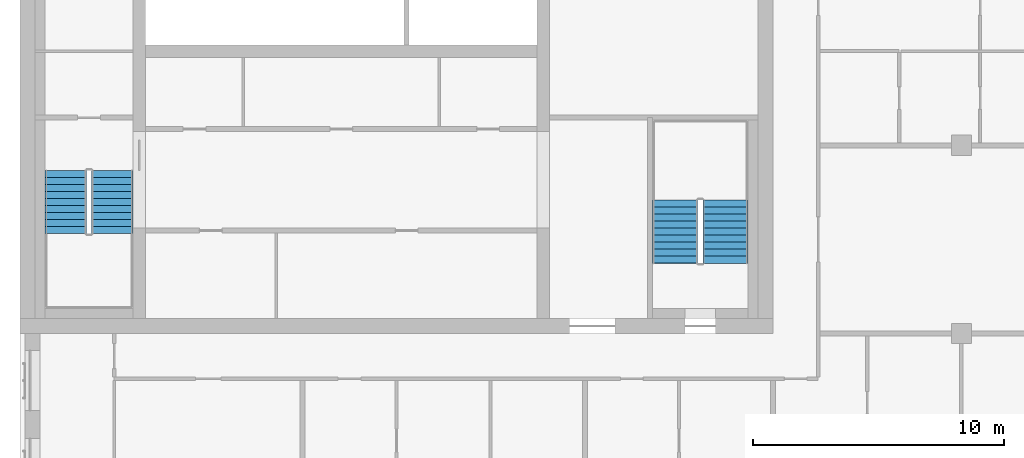
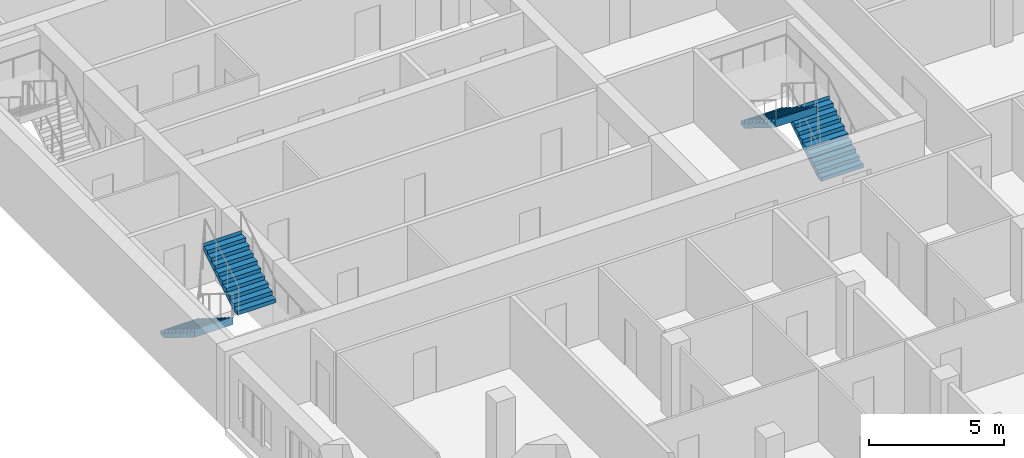
# One storey, part 9 of 11: 4 stair flights, 2 elements without a shape of their own.
"""IFC4 building model written with IfcOpenShell, lengths in metres."""

from ifc_helpers import new_model, si_unit, direction, frame, origin, place, context, subcontext, project, spatial, polyline, outline, extrude, material, type_object, element, aggregate, save


model = new_model("IFC4")

# Units and contexts
model_context = context("Model", 3, precision=1e-05, world=origin(), true_north=direction((0.0, 1.0)))
body_context = subcontext(model_context, "Body", "Model", "MODEL_VIEW")
ifc_project = project(units=[si_unit("LENGTHUNIT", "METRE"), si_unit("AREAUNIT", "SQUARE_METRE"), si_unit("VOLUMEUNIT", "CUBIC_METRE"), si_unit("PLANEANGLEUNIT", "RADIAN"), si_unit("MASSUNIT", "GRAM", prefix="KILO")], contexts=[model_context])

# Site, building, storey
site_placement = place(None, origin())
site = spatial("IfcSite", under=ifc_project, at=site_placement, CompositionType="ELEMENT")
building_placement = place(site_placement, origin())
building = spatial("IfcBuilding", under=site, at=building_placement, Name="Tamorin Gate", CompositionType="ELEMENT")
storey_placement = place(building_placement, frame((0.0, 0.0, 247.699951171875)))
storey = spatial("IfcBuildingStorey", under=building, at=storey_placement, Name="L62", CompositionType="ELEMENT", Elevation=247.699951171875)

# Stair, stair flights
ifc_material = material(Name="Concrete C40/50", Category="concrete")
stair_type = type_object("IfcStairType", Name="Exit stair", PredefinedType="HALF_TURN_STAIR", material=ifc_material)
stair_1_placement = place(storey_placement, origin())
stair_1 = element("IfcStair", 1, at=stair_1_placement, inside=storey, type_object=stair_type, Name="L62 stair ST1", PredefinedType="HALF_TURN_STAIR")
stair_flight_type = type_object("IfcStairFlightType", Name="Exit stair flight", PredefinedType="STRAIGHT", material=ifc_material)
stair_flight_1_placement = place(storey_placement, frame((31.824951171875, 66.5, 0.0), z_axis=(0.0, 0.0, 1.0), x_axis=(0.0, -1.0, 0.0)))
stair_flight_1 = element("IfcStairFlight", 2, at=stair_flight_1_placement, type_object=stair_flight_type, Name="ST1 flight 1", NumberOfRisers=10, NumberOfTreads=9, PredefinedType="STRAIGHT", RiserHeight=0.175, TreadLength=0.28, context=body_context, shape_type="SweptSolid", body=[
    extrude(outline(polyline([(-0.00048828125, 0.0), (-0.00048828125, 0.001708984375), (-0.00048828125, 0.00341796875), (-0.00048828125, 0.005126953125), (-0.00048828125, 0.0068359375), (-0.00048828125, 0.008544921875), (-0.00048828125, 0.010498046875), (-0.00048828125, 0.01220703125), (-0.00048828125, 0.013916015625), (-0.00048828125, 0.015625), (-0.00048828125, 0.017333984375), (-0.00048828125, 0.01904296875), (-0.00048828125, 0.020751953125), (-0.00048828125, 0.0224609375), (-0.00048828125, 0.024169921875), (-0.00048828125, 0.02587890625), (-0.00048828125, 0.02783203125), (-0.00048828125, 0.029541015625), (-0.00048828125, 0.03125), (-0.00048828125, 0.032958984375), (-0.00048828125, 0.03466796875), (-0.00048828125, 0.036376953125), (-0.00048828125, 0.0380859375), (-0.00048828125, 0.039794921875), (-0.00048828125, 0.04150390625), (-0.00048828125, 0.043212890625), (-0.00048828125, 0.045166015625), (-0.00048828125, 0.046875), (-0.00048828125, 0.048583984375), (-0.00048828125, 0.05029296875), (-0.00048828125, 0.052001953125), (-0.00048828125, 0.0537109375), (-0.00048828125, 0.055419921875), (-0.00048828125, 0.05712890625), (-0.00048828125, 0.058837890625), (-0.00048828125, 0.060546875), (-0.00048828125, 0.062255859375), (-0.00048828125, 0.064208984375), (-0.00048828125, 0.06591796875), (-0.00048828125, 0.067626953125), (-0.00048828125, 0.0693359375), (-0.00048828125, 0.071044921875), (-0.00048828125, 0.07275390625), (-0.00048828125, 0.074462890625), (-0.00048828125, 0.076171875), (-0.00048828125, 0.077880859375), (-0.00048828125, 0.07958984375), (-0.00048828125, 0.08154296875), (-0.00048828125, 0.083251953125), (-0.00048828125, 0.0849609375), (-0.00048828125, 0.086669921875), (-0.00048828125, 0.08837890625), (-0.00048828125, 0.090087890625), (-0.00048828125, 0.091796875), (-0.00048828125, 0.093505859375), (-0.00048828125, 0.09521484375), (-0.00048828125, 0.096923828125), (-0.00048828125, 0.098876953125), (-0.00048828125, 0.1005859375), (-0.00048828125, 0.102294921875), (-0.00048828125, 0.10400390625), (-0.00048828125, 0.105712890625), (-0.00048828125, 0.107421875), (-0.00048828125, 0.109130859375), (-0.00048828125, 0.11083984375), (-0.00048828125, 0.112548828125), (-0.00048828125, 0.1142578125), (-0.00048828125, 0.1162109375), (-0.00048828125, 0.117919921875), (-0.00048828125, 0.11962890625), (-0.00048828125, 0.121337890625), (-0.00048828125, 0.123046875), (-0.00048828125, 0.124755859375), (-0.00048828125, 0.12646484375), (-0.00048828125, 0.128173828125), (-0.00048828125, 0.1298828125), (-0.00048828125, 0.131591796875), (-0.00048828125, 0.13330078125), (-0.00048828125, 0.13525390625), (-0.00048828125, 0.136962890625), (-0.00048828125, 0.138671875), (-0.00048828125, 0.140380859375), (-0.00048828125, 0.14208984375), (-0.00048828125, 0.143798828125), (-0.00048828125, 0.1455078125), (-0.00048828125, 0.147216796875), (-0.00048828125, 0.14892578125), (-0.00048828125, 0.150634765625), (-0.00048828125, 0.152587890625), (-0.00048828125, 0.154296875), (-0.00048828125, 0.156005859375), (-0.00048828125, 0.15771484375), (-0.00048828125, 0.159423828125), (-0.00048828125, 0.1611328125), (-0.00048828125, 0.162841796875), (-0.00048828125, 0.16455078125), (-0.00048828125, 0.166259765625), (-0.00048828125, 0.16796875), (-0.00048828125, 0.169921875), (-0.00048828125, 0.171630859375), (-0.00048828125, 0.17333984375), (-0.00048828125, 0.175048828125), (0.280029296875, 0.175048828125), (0.280029296875, 0.35009765625), (0.56005859375, 0.35009765625), (0.56005859375, 0.52490234375), (0.840087890625, 0.52490234375), (0.840087890625, 0.699951171875), (1.1201171875, 0.699951171875), (1.1201171875, 0.875), (1.39990234375, 0.875), (1.39990234375, 1.050048828125), (1.679931640625, 1.050048828125), (1.679931640625, 1.22509765625), (1.9599609375, 1.22509765625), (1.9599609375, 1.39990234375), (2.239990234375, 1.39990234375), (2.239990234375, 1.574951171875), (2.52001953125, 1.574951171875), (2.52001953125, 1.75), (2.5205078125, 1.75), (2.5205078125, 1.74658203125), (2.5205078125, 1.742919921875), (2.5205078125, 1.739501953125), (2.5205078125, 1.736083984375), (2.5205078125, 1.732666015625), (2.5205078125, 1.72900390625), (2.5205078125, 1.7255859375), (2.5205078125, 1.72216796875), (2.5205078125, 1.71875), (2.5205078125, 1.715087890625), (2.5205078125, 1.711669921875), (2.5205078125, 1.708251953125), (2.5205078125, 1.704833984375), (2.5205078125, 1.701171875), (2.5205078125, 1.69775390625), (2.5205078125, 1.6943359375), (2.5205078125, 1.690673828125), (2.5205078125, 1.687255859375), (2.5205078125, 1.683837890625), (2.5205078125, 1.680419921875), (2.5205078125, 1.6767578125), (2.5205078125, 1.67333984375), (2.5205078125, 1.669921875), (2.5205078125, 1.66650390625), (2.5205078125, 1.662841796875), (2.5205078125, 1.659423828125), (2.5205078125, 1.656005859375), (2.5205078125, 1.652587890625), (2.5205078125, 1.64892578125), (2.5205078125, 1.6455078125), (2.5205078125, 1.64208984375), (2.5205078125, 1.638427734375), (2.5205078125, 1.635009765625), (2.5205078125, 1.631591796875), (2.5205078125, 1.628173828125), (2.5205078125, 1.62451171875), (2.5205078125, 1.62109375), (2.5205078125, 1.61767578125), (2.5205078125, 1.6142578125), (2.5205078125, 1.610595703125), (2.5205078125, 1.607177734375), (2.5205078125, 1.603759765625), (2.5205078125, 1.600341796875), (2.5205078125, 1.5966796875), (2.5205078125, 1.59326171875), (2.5205078125, 1.58984375), (2.5205078125, 1.58642578125), (2.5205078125, 1.582763671875), (2.5205078125, 1.579345703125), (2.5205078125, 1.575927734375), (2.5205078125, 1.572265625), (2.5205078125, 1.56884765625), (2.5205078125, 1.5654296875), (2.5205078125, 1.56201171875), (2.5205078125, 1.558349609375), (2.5205078125, 1.554931640625), (2.5205078125, 1.551513671875), (2.5205078125, 1.548095703125), (2.5205078125, 1.54443359375), (2.5205078125, 1.541015625), (2.5205078125, 1.53759765625), (2.5205078125, 1.5341796875), (2.5205078125, 1.530517578125), (2.5205078125, 1.527099609375), (2.5205078125, 1.523681640625), (2.5205078125, 1.52001953125), (2.5205078125, 1.5166015625), (2.5205078125, 1.51318359375), (2.5205078125, 1.509765625), (2.5205078125, 1.506103515625), (2.5205078125, 1.502685546875), (2.5205078125, 1.499267578125), (2.5205078125, 1.495849609375), (2.5205078125, 1.4921875), (2.5205078125, 1.48876953125), (2.5205078125, 1.4853515625), (2.5205078125, 1.48193359375), (2.5205078125, 1.478271484375), (2.5205078125, 1.474853515625), (2.5205078125, 1.471435546875), (2.5205078125, 1.4677734375), (2.5205078125, 1.46435546875), (2.5205078125, 1.4609375), (2.5205078125, 1.45751953125), (2.5205078125, 1.453857421875), (2.5205078125, 1.450439453125), (2.5205078125, 1.447021484375), (2.5205078125, 1.443603515625), (2.5205078125, 1.43994140625), (2.5205078125, 1.4365234375), (2.5205078125, 1.43310546875), (2.5205078125, 1.4296875), (2.5205078125, 1.426025390625), (2.5205078125, 1.422607421875), (2.5205078125, 1.419189453125), (2.5205078125, 1.41552734375), (2.5205078125, 1.412109375), (2.5205078125, 1.40869140625), (2.5205078125, 1.4052734375), (2.5205078125, 1.401611328125), (2.5205078125, 1.398193359375), (2.52001953125, 1.398193359375), (0.28271484375, 0.0), (-0.00048828125, 0.0)])), frame((0.0, 0.824951171875, 0.0), z_axis=(0.0, -1.0, 0.0), x_axis=(1.0, 0.0, 0.0)), (0.0, 0.0, 1.0), 1.64990234375),
])
stair_flight_2_placement = place(storey_placement, frame((33.675048828125, 63.97998046875, 1.75), z_axis=(0.0, 0.0, 1.0), x_axis=(0.0, 1.0, 0.0)))
stair_flight_2 = element("IfcStairFlight", 3, at=stair_flight_2_placement, type_object=stair_flight_type, Name="ST1 flight 2", NumberOfRisers=10, NumberOfTreads=9, PredefinedType="STRAIGHT", RiserHeight=0.175, TreadLength=0.28, context=body_context, shape_type="SweptSolid", body=[
    extrude(outline(polyline([(-0.00048828125, 0.0), (-0.00048828125, 0.001708984375), (-0.00048828125, 0.00341796875), (-0.00048828125, 0.005126953125), (-0.00048828125, 0.0068359375), (-0.00048828125, 0.008544921875), (-0.00048828125, 0.010498046875), (-0.00048828125, 0.01220703125), (-0.00048828125, 0.013916015625), (-0.00048828125, 0.015625), (-0.00048828125, 0.017333984375), (-0.00048828125, 0.01904296875), (-0.00048828125, 0.020751953125), (-0.00048828125, 0.0224609375), (-0.00048828125, 0.024169921875), (-0.00048828125, 0.02587890625), (-0.00048828125, 0.02783203125), (-0.00048828125, 0.029541015625), (-0.00048828125, 0.03125), (-0.00048828125, 0.032958984375), (-0.00048828125, 0.03466796875), (-0.00048828125, 0.036376953125), (-0.00048828125, 0.0380859375), (-0.00048828125, 0.039794921875), (-0.00048828125, 0.04150390625), (-0.00048828125, 0.043212890625), (-0.00048828125, 0.045166015625), (-0.00048828125, 0.046875), (-0.00048828125, 0.048583984375), (-0.00048828125, 0.05029296875), (-0.00048828125, 0.052001953125), (-0.00048828125, 0.0537109375), (-0.00048828125, 0.055419921875), (-0.00048828125, 0.05712890625), (-0.00048828125, 0.058837890625), (-0.00048828125, 0.060546875), (-0.00048828125, 0.062255859375), (-0.00048828125, 0.064208984375), (-0.00048828125, 0.06591796875), (-0.00048828125, 0.067626953125), (-0.00048828125, 0.0693359375), (-0.00048828125, 0.071044921875), (-0.00048828125, 0.07275390625), (-0.00048828125, 0.074462890625), (-0.00048828125, 0.076171875), (-0.00048828125, 0.077880859375), (-0.00048828125, 0.07958984375), (-0.00048828125, 0.08154296875), (-0.00048828125, 0.083251953125), (-0.00048828125, 0.0849609375), (-0.00048828125, 0.086669921875), (-0.00048828125, 0.08837890625), (-0.00048828125, 0.090087890625), (-0.00048828125, 0.091796875), (-0.00048828125, 0.093505859375), (-0.00048828125, 0.09521484375), (-0.00048828125, 0.096923828125), (-0.00048828125, 0.098876953125), (-0.00048828125, 0.1005859375), (-0.00048828125, 0.102294921875), (-0.00048828125, 0.10400390625), (-0.00048828125, 0.105712890625), (-0.00048828125, 0.107421875), (-0.00048828125, 0.109130859375), (-0.00048828125, 0.11083984375), (-0.00048828125, 0.112548828125), (-0.00048828125, 0.1142578125), (-0.00048828125, 0.1162109375), (-0.00048828125, 0.117919921875), (-0.00048828125, 0.11962890625), (-0.00048828125, 0.121337890625), (-0.00048828125, 0.123046875), (-0.00048828125, 0.124755859375), (-0.00048828125, 0.12646484375), (-0.00048828125, 0.128173828125), (-0.00048828125, 0.1298828125), (-0.00048828125, 0.131591796875), (-0.00048828125, 0.13330078125), (-0.00048828125, 0.13525390625), (-0.00048828125, 0.136962890625), (-0.00048828125, 0.138671875), (-0.00048828125, 0.140380859375), (-0.00048828125, 0.14208984375), (-0.00048828125, 0.143798828125), (-0.00048828125, 0.1455078125), (-0.00048828125, 0.147216796875), (-0.00048828125, 0.14892578125), (-0.00048828125, 0.150634765625), (-0.00048828125, 0.152587890625), (-0.00048828125, 0.154296875), (-0.00048828125, 0.156005859375), (-0.00048828125, 0.15771484375), (-0.00048828125, 0.159423828125), (-0.00048828125, 0.1611328125), (-0.00048828125, 0.162841796875), (-0.00048828125, 0.16455078125), (-0.00048828125, 0.166259765625), (-0.00048828125, 0.16796875), (-0.00048828125, 0.169921875), (-0.00048828125, 0.171630859375), (-0.00048828125, 0.17333984375), (-0.00048828125, 0.175048828125), (0.280029296875, 0.175048828125), (0.280029296875, 0.35009765625), (0.56005859375, 0.35009765625), (0.56005859375, 0.52490234375), (0.840087890625, 0.52490234375), (0.840087890625, 0.699951171875), (1.1201171875, 0.699951171875), (1.1201171875, 0.875), (1.39990234375, 0.875), (1.39990234375, 1.050048828125), (1.679931640625, 1.050048828125), (1.679931640625, 1.22509765625), (1.9599609375, 1.22509765625), (1.9599609375, 1.39990234375), (2.239990234375, 1.39990234375), (2.239990234375, 1.574951171875), (2.52001953125, 1.574951171875), (2.52001953125, 1.75), (2.5205078125, 1.75), (2.5205078125, 1.74658203125), (2.5205078125, 1.742919921875), (2.5205078125, 1.739501953125), (2.5205078125, 1.736083984375), (2.5205078125, 1.732666015625), (2.5205078125, 1.72900390625), (2.5205078125, 1.7255859375), (2.5205078125, 1.72216796875), (2.5205078125, 1.71875), (2.5205078125, 1.715087890625), (2.5205078125, 1.711669921875), (2.5205078125, 1.708251953125), (2.5205078125, 1.704833984375), (2.5205078125, 1.701171875), (2.5205078125, 1.69775390625), (2.5205078125, 1.6943359375), (2.5205078125, 1.690673828125), (2.5205078125, 1.687255859375), (2.5205078125, 1.683837890625), (2.5205078125, 1.680419921875), (2.5205078125, 1.6767578125), (2.5205078125, 1.67333984375), (2.5205078125, 1.669921875), (2.5205078125, 1.66650390625), (2.5205078125, 1.662841796875), (2.5205078125, 1.659423828125), (2.5205078125, 1.656005859375), (2.5205078125, 1.652587890625), (2.5205078125, 1.64892578125), (2.5205078125, 1.6455078125), (2.5205078125, 1.64208984375), (2.5205078125, 1.638427734375), (2.5205078125, 1.635009765625), (2.5205078125, 1.631591796875), (2.5205078125, 1.628173828125), (2.5205078125, 1.62451171875), (2.5205078125, 1.62109375), (2.5205078125, 1.61767578125), (2.5205078125, 1.6142578125), (2.5205078125, 1.610595703125), (2.5205078125, 1.607177734375), (2.5205078125, 1.603759765625), (2.5205078125, 1.600341796875), (2.5205078125, 1.5966796875), (2.5205078125, 1.59326171875), (2.5205078125, 1.58984375), (2.5205078125, 1.58642578125), (2.5205078125, 1.582763671875), (2.5205078125, 1.579345703125), (2.5205078125, 1.575927734375), (2.5205078125, 1.572265625), (2.5205078125, 1.56884765625), (2.5205078125, 1.5654296875), (2.5205078125, 1.56201171875), (2.5205078125, 1.558349609375), (2.5205078125, 1.554931640625), (2.5205078125, 1.551513671875), (2.5205078125, 1.548095703125), (2.5205078125, 1.54443359375), (2.5205078125, 1.541015625), (2.5205078125, 1.53759765625), (2.5205078125, 1.5341796875), (2.5205078125, 1.530517578125), (2.5205078125, 1.527099609375), (2.5205078125, 1.523681640625), (2.5205078125, 1.52001953125), (2.5205078125, 1.5166015625), (2.5205078125, 1.51318359375), (2.5205078125, 1.509765625), (2.5205078125, 1.506103515625), (2.5205078125, 1.502685546875), (2.5205078125, 1.499267578125), (2.5205078125, 1.495849609375), (2.5205078125, 1.4921875), (2.5205078125, 1.48876953125), (2.5205078125, 1.4853515625), (2.5205078125, 1.48193359375), (2.5205078125, 1.478271484375), (2.5205078125, 1.474853515625), (2.5205078125, 1.471435546875), (2.5205078125, 1.4677734375), (2.5205078125, 1.46435546875), (2.5205078125, 1.4609375), (2.5205078125, 1.45751953125), (2.5205078125, 1.453857421875), (2.5205078125, 1.450439453125), (2.5205078125, 1.447021484375), (2.5205078125, 1.443603515625), (2.5205078125, 1.43994140625), (2.5205078125, 1.4365234375), (2.5205078125, 1.43310546875), (2.5205078125, 1.4296875), (2.5205078125, 1.426025390625), (2.5205078125, 1.422607421875), (2.5205078125, 1.419189453125), (2.5205078125, 1.41552734375), (2.5205078125, 1.412109375), (2.5205078125, 1.40869140625), (2.5205078125, 1.4052734375), (2.5205078125, 1.401611328125), (2.5205078125, 1.398193359375), (2.52001953125, 1.398193359375), (0.28271484375, 0.0), (-0.00048828125, 0.0)])), frame((0.0, 0.824951171875, 0.0), z_axis=(0.0, -1.0, 0.0), x_axis=(1.0, 0.0, 0.0)), (0.0, 0.0, 1.0), 1.64990234375),
])
aggregate(stair_1, [stair_flight_1, stair_flight_2])

stair_2_placement = place(storey_placement, origin())
stair_2 = element("IfcStair", 4, at=stair_2_placement, inside=storey, type_object=stair_type, Name="L62 stair ST3", PredefinedType="HALF_TURN_STAIR")
stair_flight_3_placement = place(storey_placement, frame((58.10009765625, 62.800048828125, 0.0), z_axis=(0.0, 0.0, 1.0), x_axis=(0.0, 1.0, 0.0)))
stair_flight_3 = element("IfcStairFlight", 5, at=stair_flight_3_placement, type_object=stair_flight_type, Name="ST3 flight 1", NumberOfRisers=10, NumberOfTreads=9, PredefinedType="STRAIGHT", RiserHeight=0.175, TreadLength=0.28, context=body_context, shape_type="SweptSolid", body=[
    extrude(outline(polyline([(-0.00048828125, 0.0), (-0.00048828125, 0.001708984375), (-0.00048828125, 0.00341796875), (-0.00048828125, 0.005126953125), (-0.00048828125, 0.0068359375), (-0.00048828125, 0.008544921875), (-0.00048828125, 0.010498046875), (-0.00048828125, 0.01220703125), (-0.00048828125, 0.013916015625), (-0.00048828125, 0.015625), (-0.00048828125, 0.017333984375), (-0.00048828125, 0.01904296875), (-0.00048828125, 0.020751953125), (-0.00048828125, 0.0224609375), (-0.00048828125, 0.024169921875), (-0.00048828125, 0.02587890625), (-0.00048828125, 0.02783203125), (-0.00048828125, 0.029541015625), (-0.00048828125, 0.03125), (-0.00048828125, 0.032958984375), (-0.00048828125, 0.03466796875), (-0.00048828125, 0.036376953125), (-0.00048828125, 0.0380859375), (-0.00048828125, 0.039794921875), (-0.00048828125, 0.04150390625), (-0.00048828125, 0.043212890625), (-0.00048828125, 0.045166015625), (-0.00048828125, 0.046875), (-0.00048828125, 0.048583984375), (-0.00048828125, 0.05029296875), (-0.00048828125, 0.052001953125), (-0.00048828125, 0.0537109375), (-0.00048828125, 0.055419921875), (-0.00048828125, 0.05712890625), (-0.00048828125, 0.058837890625), (-0.00048828125, 0.060546875), (-0.00048828125, 0.062255859375), (-0.00048828125, 0.064208984375), (-0.00048828125, 0.06591796875), (-0.00048828125, 0.067626953125), (-0.00048828125, 0.0693359375), (-0.00048828125, 0.071044921875), (-0.00048828125, 0.07275390625), (-0.00048828125, 0.074462890625), (-0.00048828125, 0.076171875), (-0.00048828125, 0.077880859375), (-0.00048828125, 0.07958984375), (-0.00048828125, 0.08154296875), (-0.00048828125, 0.083251953125), (-0.00048828125, 0.0849609375), (-0.00048828125, 0.086669921875), (-0.00048828125, 0.08837890625), (-0.00048828125, 0.090087890625), (-0.00048828125, 0.091796875), (-0.00048828125, 0.093505859375), (-0.00048828125, 0.09521484375), (-0.00048828125, 0.096923828125), (-0.00048828125, 0.098876953125), (-0.00048828125, 0.1005859375), (-0.00048828125, 0.102294921875), (-0.00048828125, 0.10400390625), (-0.00048828125, 0.105712890625), (-0.00048828125, 0.107421875), (-0.00048828125, 0.109130859375), (-0.00048828125, 0.11083984375), (-0.00048828125, 0.112548828125), (-0.00048828125, 0.1142578125), (-0.00048828125, 0.1162109375), (-0.00048828125, 0.117919921875), (-0.00048828125, 0.11962890625), (-0.00048828125, 0.121337890625), (-0.00048828125, 0.123046875), (-0.00048828125, 0.124755859375), (-0.00048828125, 0.12646484375), (-0.00048828125, 0.128173828125), (-0.00048828125, 0.1298828125), (-0.00048828125, 0.131591796875), (-0.00048828125, 0.13330078125), (-0.00048828125, 0.13525390625), (-0.00048828125, 0.136962890625), (-0.00048828125, 0.138671875), (-0.00048828125, 0.140380859375), (-0.00048828125, 0.14208984375), (-0.00048828125, 0.143798828125), (-0.00048828125, 0.1455078125), (-0.00048828125, 0.147216796875), (-0.00048828125, 0.14892578125), (-0.00048828125, 0.150634765625), (-0.00048828125, 0.152587890625), (-0.00048828125, 0.154296875), (-0.00048828125, 0.156005859375), (-0.00048828125, 0.15771484375), (-0.00048828125, 0.159423828125), (-0.00048828125, 0.1611328125), (-0.00048828125, 0.162841796875), (-0.00048828125, 0.16455078125), (-0.00048828125, 0.166259765625), (-0.00048828125, 0.16796875), (-0.00048828125, 0.169921875), (-0.00048828125, 0.171630859375), (-0.00048828125, 0.17333984375), (-0.00048828125, 0.175048828125), (0.280029296875, 0.175048828125), (0.280029296875, 0.35009765625), (0.56005859375, 0.35009765625), (0.56005859375, 0.52490234375), (0.840087890625, 0.52490234375), (0.840087890625, 0.699951171875), (1.1201171875, 0.699951171875), (1.1201171875, 0.875), (1.39990234375, 0.875), (1.39990234375, 1.050048828125), (1.679931640625, 1.050048828125), (1.679931640625, 1.22509765625), (1.9599609375, 1.22509765625), (1.9599609375, 1.39990234375), (2.239990234375, 1.39990234375), (2.239990234375, 1.574951171875), (2.52001953125, 1.574951171875), (2.52001953125, 1.75), (2.5205078125, 1.75), (2.5205078125, 1.74658203125), (2.5205078125, 1.742919921875), (2.5205078125, 1.739501953125), (2.5205078125, 1.736083984375), (2.5205078125, 1.732666015625), (2.5205078125, 1.72900390625), (2.5205078125, 1.7255859375), (2.5205078125, 1.72216796875), (2.5205078125, 1.71875), (2.5205078125, 1.715087890625), (2.5205078125, 1.711669921875), (2.5205078125, 1.708251953125), (2.5205078125, 1.704833984375), (2.5205078125, 1.701171875), (2.5205078125, 1.69775390625), (2.5205078125, 1.6943359375), (2.5205078125, 1.690673828125), (2.5205078125, 1.687255859375), (2.5205078125, 1.683837890625), (2.5205078125, 1.680419921875), (2.5205078125, 1.6767578125), (2.5205078125, 1.67333984375), (2.5205078125, 1.669921875), (2.5205078125, 1.66650390625), (2.5205078125, 1.662841796875), (2.5205078125, 1.659423828125), (2.5205078125, 1.656005859375), (2.5205078125, 1.652587890625), (2.5205078125, 1.64892578125), (2.5205078125, 1.6455078125), (2.5205078125, 1.64208984375), (2.5205078125, 1.638427734375), (2.5205078125, 1.635009765625), (2.5205078125, 1.631591796875), (2.5205078125, 1.628173828125), (2.5205078125, 1.62451171875), (2.5205078125, 1.62109375), (2.5205078125, 1.61767578125), (2.5205078125, 1.6142578125), (2.5205078125, 1.610595703125), (2.5205078125, 1.607177734375), (2.5205078125, 1.603759765625), (2.5205078125, 1.600341796875), (2.5205078125, 1.5966796875), (2.5205078125, 1.59326171875), (2.5205078125, 1.58984375), (2.5205078125, 1.58642578125), (2.5205078125, 1.582763671875), (2.5205078125, 1.579345703125), (2.5205078125, 1.575927734375), (2.5205078125, 1.572265625), (2.5205078125, 1.56884765625), (2.5205078125, 1.5654296875), (2.5205078125, 1.56201171875), (2.5205078125, 1.558349609375), (2.5205078125, 1.554931640625), (2.5205078125, 1.551513671875), (2.5205078125, 1.548095703125), (2.5205078125, 1.54443359375), (2.5205078125, 1.541015625), (2.5205078125, 1.53759765625), (2.5205078125, 1.5341796875), (2.5205078125, 1.530517578125), (2.5205078125, 1.527099609375), (2.5205078125, 1.523681640625), (2.5205078125, 1.52001953125), (2.5205078125, 1.5166015625), (2.5205078125, 1.51318359375), (2.5205078125, 1.509765625), (2.5205078125, 1.506103515625), (2.5205078125, 1.502685546875), (2.5205078125, 1.499267578125), (2.5205078125, 1.495849609375), (2.5205078125, 1.4921875), (2.5205078125, 1.48876953125), (2.5205078125, 1.4853515625), (2.5205078125, 1.48193359375), (2.5205078125, 1.478271484375), (2.5205078125, 1.474853515625), (2.5205078125, 1.471435546875), (2.5205078125, 1.4677734375), (2.5205078125, 1.46435546875), (2.5205078125, 1.4609375), (2.5205078125, 1.45751953125), (2.5205078125, 1.453857421875), (2.5205078125, 1.450439453125), (2.5205078125, 1.447021484375), (2.5205078125, 1.443603515625), (2.5205078125, 1.43994140625), (2.5205078125, 1.4365234375), (2.5205078125, 1.43310546875), (2.5205078125, 1.4296875), (2.5205078125, 1.426025390625), (2.5205078125, 1.422607421875), (2.5205078125, 1.419189453125), (2.5205078125, 1.41552734375), (2.5205078125, 1.412109375), (2.5205078125, 1.40869140625), (2.5205078125, 1.4052734375), (2.5205078125, 1.401611328125), (2.5205078125, 1.398193359375), (2.52001953125, 1.398193359375), (0.28271484375, 0.0), (-0.00048828125, 0.0)])), frame((0.0, 0.89990234375, 0.0), z_axis=(0.0, -1.0, 0.0), x_axis=(1.0, 0.0, 0.0)), (0.0, 0.0, 1.0), 1.800048828125),
])
stair_flight_4_placement = place(storey_placement, frame((56.10009765625, 65.320068359375, 1.75), z_axis=(0.0, 0.0, 1.0), x_axis=(0.0, -1.0, 0.0)))
stair_flight_4 = element("IfcStairFlight", 6, at=stair_flight_4_placement, type_object=stair_flight_type, Name="ST3 flight 2", NumberOfRisers=10, NumberOfTreads=9, PredefinedType="STRAIGHT", RiserHeight=0.175, TreadLength=0.28, context=body_context, shape_type="SweptSolid", body=[
    extrude(outline(polyline([(-0.00048828125, 0.0), (-0.00048828125, 0.001708984375), (-0.00048828125, 0.00341796875), (-0.00048828125, 0.005126953125), (-0.00048828125, 0.0068359375), (-0.00048828125, 0.008544921875), (-0.00048828125, 0.010498046875), (-0.00048828125, 0.01220703125), (-0.00048828125, 0.013916015625), (-0.00048828125, 0.015625), (-0.00048828125, 0.017333984375), (-0.00048828125, 0.01904296875), (-0.00048828125, 0.020751953125), (-0.00048828125, 0.0224609375), (-0.00048828125, 0.024169921875), (-0.00048828125, 0.02587890625), (-0.00048828125, 0.02783203125), (-0.00048828125, 0.029541015625), (-0.00048828125, 0.03125), (-0.00048828125, 0.032958984375), (-0.00048828125, 0.03466796875), (-0.00048828125, 0.036376953125), (-0.00048828125, 0.0380859375), (-0.00048828125, 0.039794921875), (-0.00048828125, 0.04150390625), (-0.00048828125, 0.043212890625), (-0.00048828125, 0.045166015625), (-0.00048828125, 0.046875), (-0.00048828125, 0.048583984375), (-0.00048828125, 0.05029296875), (-0.00048828125, 0.052001953125), (-0.00048828125, 0.0537109375), (-0.00048828125, 0.055419921875), (-0.00048828125, 0.05712890625), (-0.00048828125, 0.058837890625), (-0.00048828125, 0.060546875), (-0.00048828125, 0.062255859375), (-0.00048828125, 0.064208984375), (-0.00048828125, 0.06591796875), (-0.00048828125, 0.067626953125), (-0.00048828125, 0.0693359375), (-0.00048828125, 0.071044921875), (-0.00048828125, 0.07275390625), (-0.00048828125, 0.074462890625), (-0.00048828125, 0.076171875), (-0.00048828125, 0.077880859375), (-0.00048828125, 0.07958984375), (-0.00048828125, 0.08154296875), (-0.00048828125, 0.083251953125), (-0.00048828125, 0.0849609375), (-0.00048828125, 0.086669921875), (-0.00048828125, 0.08837890625), (-0.00048828125, 0.090087890625), (-0.00048828125, 0.091796875), (-0.00048828125, 0.093505859375), (-0.00048828125, 0.09521484375), (-0.00048828125, 0.096923828125), (-0.00048828125, 0.098876953125), (-0.00048828125, 0.1005859375), (-0.00048828125, 0.102294921875), (-0.00048828125, 0.10400390625), (-0.00048828125, 0.105712890625), (-0.00048828125, 0.107421875), (-0.00048828125, 0.109130859375), (-0.00048828125, 0.11083984375), (-0.00048828125, 0.112548828125), (-0.00048828125, 0.1142578125), (-0.00048828125, 0.1162109375), (-0.00048828125, 0.117919921875), (-0.00048828125, 0.11962890625), (-0.00048828125, 0.121337890625), (-0.00048828125, 0.123046875), (-0.00048828125, 0.124755859375), (-0.00048828125, 0.12646484375), (-0.00048828125, 0.128173828125), (-0.00048828125, 0.1298828125), (-0.00048828125, 0.131591796875), (-0.00048828125, 0.13330078125), (-0.00048828125, 0.13525390625), (-0.00048828125, 0.136962890625), (-0.00048828125, 0.138671875), (-0.00048828125, 0.140380859375), (-0.00048828125, 0.14208984375), (-0.00048828125, 0.143798828125), (-0.00048828125, 0.1455078125), (-0.00048828125, 0.147216796875), (-0.00048828125, 0.14892578125), (-0.00048828125, 0.150634765625), (-0.00048828125, 0.152587890625), (-0.00048828125, 0.154296875), (-0.00048828125, 0.156005859375), (-0.00048828125, 0.15771484375), (-0.00048828125, 0.159423828125), (-0.00048828125, 0.1611328125), (-0.00048828125, 0.162841796875), (-0.00048828125, 0.16455078125), (-0.00048828125, 0.166259765625), (-0.00048828125, 0.16796875), (-0.00048828125, 0.169921875), (-0.00048828125, 0.171630859375), (-0.00048828125, 0.17333984375), (-0.00048828125, 0.175048828125), (0.280029296875, 0.175048828125), (0.280029296875, 0.35009765625), (0.56005859375, 0.35009765625), (0.56005859375, 0.52490234375), (0.840087890625, 0.52490234375), (0.840087890625, 0.699951171875), (1.1201171875, 0.699951171875), (1.1201171875, 0.875), (1.39990234375, 0.875), (1.39990234375, 1.050048828125), (1.679931640625, 1.050048828125), (1.679931640625, 1.22509765625), (1.9599609375, 1.22509765625), (1.9599609375, 1.39990234375), (2.239990234375, 1.39990234375), (2.239990234375, 1.574951171875), (2.52001953125, 1.574951171875), (2.52001953125, 1.75), (2.5205078125, 1.75), (2.5205078125, 1.74658203125), (2.5205078125, 1.742919921875), (2.5205078125, 1.739501953125), (2.5205078125, 1.736083984375), (2.5205078125, 1.732666015625), (2.5205078125, 1.72900390625), (2.5205078125, 1.7255859375), (2.5205078125, 1.72216796875), (2.5205078125, 1.71875), (2.5205078125, 1.715087890625), (2.5205078125, 1.711669921875), (2.5205078125, 1.708251953125), (2.5205078125, 1.704833984375), (2.5205078125, 1.701171875), (2.5205078125, 1.69775390625), (2.5205078125, 1.6943359375), (2.5205078125, 1.690673828125), (2.5205078125, 1.687255859375), (2.5205078125, 1.683837890625), (2.5205078125, 1.680419921875), (2.5205078125, 1.6767578125), (2.5205078125, 1.67333984375), (2.5205078125, 1.669921875), (2.5205078125, 1.66650390625), (2.5205078125, 1.662841796875), (2.5205078125, 1.659423828125), (2.5205078125, 1.656005859375), (2.5205078125, 1.652587890625), (2.5205078125, 1.64892578125), (2.5205078125, 1.6455078125), (2.5205078125, 1.64208984375), (2.5205078125, 1.638427734375), (2.5205078125, 1.635009765625), (2.5205078125, 1.631591796875), (2.5205078125, 1.628173828125), (2.5205078125, 1.62451171875), (2.5205078125, 1.62109375), (2.5205078125, 1.61767578125), (2.5205078125, 1.6142578125), (2.5205078125, 1.610595703125), (2.5205078125, 1.607177734375), (2.5205078125, 1.603759765625), (2.5205078125, 1.600341796875), (2.5205078125, 1.5966796875), (2.5205078125, 1.59326171875), (2.5205078125, 1.58984375), (2.5205078125, 1.58642578125), (2.5205078125, 1.582763671875), (2.5205078125, 1.579345703125), (2.5205078125, 1.575927734375), (2.5205078125, 1.572265625), (2.5205078125, 1.56884765625), (2.5205078125, 1.5654296875), (2.5205078125, 1.56201171875), (2.5205078125, 1.558349609375), (2.5205078125, 1.554931640625), (2.5205078125, 1.551513671875), (2.5205078125, 1.548095703125), (2.5205078125, 1.54443359375), (2.5205078125, 1.541015625), (2.5205078125, 1.53759765625), (2.5205078125, 1.5341796875), (2.5205078125, 1.530517578125), (2.5205078125, 1.527099609375), (2.5205078125, 1.523681640625), (2.5205078125, 1.52001953125), (2.5205078125, 1.5166015625), (2.5205078125, 1.51318359375), (2.5205078125, 1.509765625), (2.5205078125, 1.506103515625), (2.5205078125, 1.502685546875), (2.5205078125, 1.499267578125), (2.5205078125, 1.495849609375), (2.5205078125, 1.4921875), (2.5205078125, 1.48876953125), (2.5205078125, 1.4853515625), (2.5205078125, 1.48193359375), (2.5205078125, 1.478271484375), (2.5205078125, 1.474853515625), (2.5205078125, 1.471435546875), (2.5205078125, 1.4677734375), (2.5205078125, 1.46435546875), (2.5205078125, 1.4609375), (2.5205078125, 1.45751953125), (2.5205078125, 1.453857421875), (2.5205078125, 1.450439453125), (2.5205078125, 1.447021484375), (2.5205078125, 1.443603515625), (2.5205078125, 1.43994140625), (2.5205078125, 1.4365234375), (2.5205078125, 1.43310546875), (2.5205078125, 1.4296875), (2.5205078125, 1.426025390625), (2.5205078125, 1.422607421875), (2.5205078125, 1.419189453125), (2.5205078125, 1.41552734375), (2.5205078125, 1.412109375), (2.5205078125, 1.40869140625), (2.5205078125, 1.4052734375), (2.5205078125, 1.401611328125), (2.5205078125, 1.398193359375), (2.52001953125, 1.398193359375), (0.28271484375, 0.0), (-0.00048828125, 0.0)])), frame((0.0, 0.89990234375, 0.0), z_axis=(0.0, -1.0, 0.0), x_axis=(1.0, 0.0, 0.0)), (0.0, 0.0, 1.0), 1.800048828125),
])
aggregate(stair_2, [stair_flight_3, stair_flight_4])

save(model, "model.ifc")
